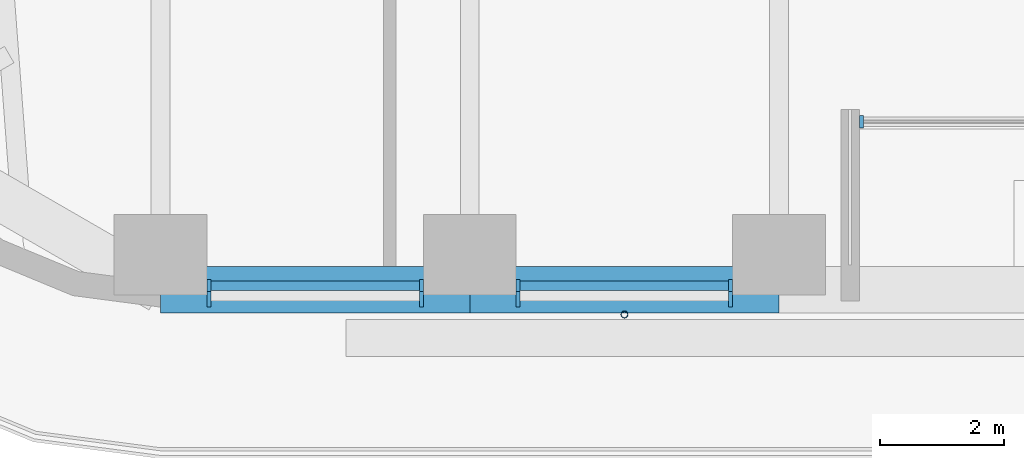
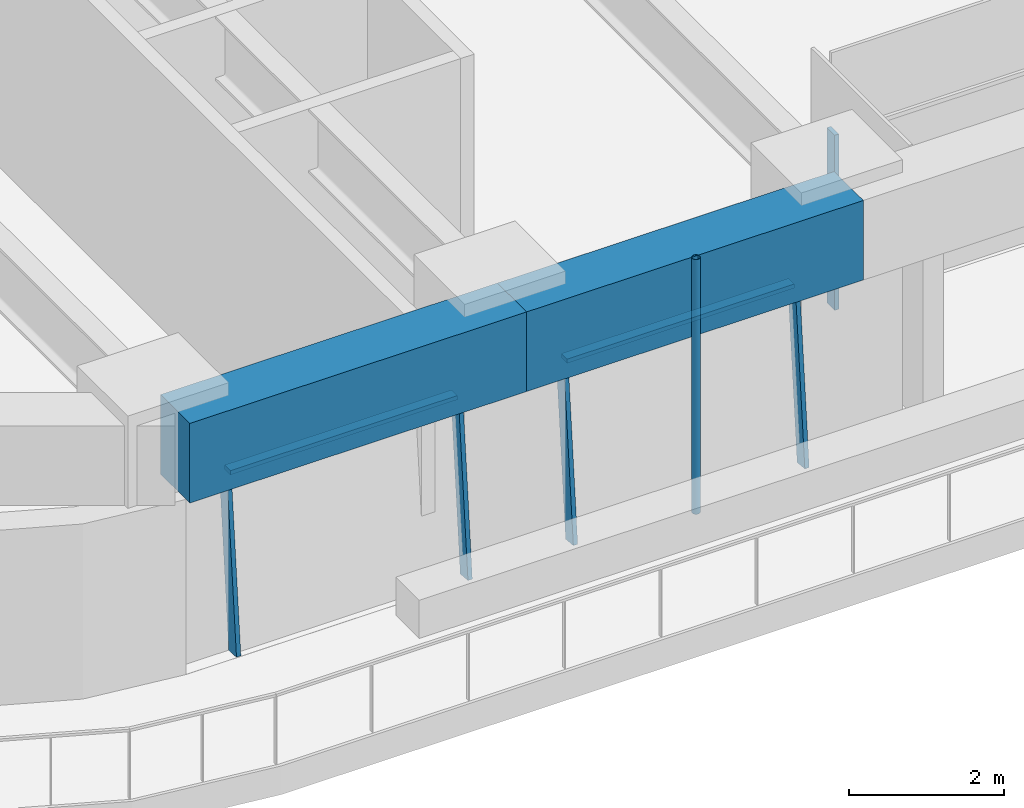
# One storey, part 2 of 24: 8 members, 2 beams, 3 elements without a shape of their own.
"""IFC4 building model written with IfcOpenShell, lengths in metres."""

from ifc_helpers import new_model, si_unit, direction, frame, origin, origin_2d, place, context, subcontext, project, spatial, rectangle, hollow_circle, extrude, material, material_profile, profile_set, type_object, element, aggregate, save


model = new_model("IFC4")

# Units and contexts
model_context = context("Model", 3, precision=1e-05, world=origin(), true_north=direction((0.0, 1.0)))
body_context = subcontext(model_context, "Body", "Model", "MODEL_VIEW")
ifc_project = project(units=[si_unit("LENGTHUNIT", "METRE"), si_unit("AREAUNIT", "SQUARE_METRE"), si_unit("VOLUMEUNIT", "CUBIC_METRE"), si_unit("PLANEANGLEUNIT", "RADIAN"), si_unit("MASSUNIT", "GRAM", prefix="KILO")], contexts=[model_context])

# Site, building, storey
site_placement = place(None, origin())
site = spatial("IfcSite", under=ifc_project, at=site_placement, CompositionType="ELEMENT")
building_placement = place(site_placement, origin())
building = spatial("IfcBuilding", under=site, at=building_placement, Name="Tarfa Lantern Tower", CompositionType="ELEMENT")
storey_placement = place(building_placement, frame((0.0, 0.0, 186.699951171875)))
storey = spatial("IfcBuildingStorey", under=building, at=storey_placement, Name="L42", CompositionType="ELEMENT", Elevation=186.699951171875)

# Curtain wall, members
ifc_material_1 = material(Name="Aluminium framed curtain wall", Category="aluminium")
curtain_wall_type_1 = type_object("IfcCurtainWallType", Name="CW2 CANTED GLAZING MID ZONE 2750", PredefinedType="USERDEFINED", material=ifc_material_1)
curtain_wall_1_placement = place(storey_placement, origin())
curtain_wall_1 = element("IfcCurtainWall", 1, at=curtain_wall_1_placement, inside=storey, type_object=curtain_wall_type_1, Name="CW2 S L42", ObjectType="CURTAIN WALL", PredefinedType="USERDEFINED")
ifc_material_2 = material(Name="Aluminium mullion", Category="aluminium")
ifc_material_profile_1 = material_profile(ifc_material_2, rectangle(XDim=0.06494140625, YDim=0.199951171875, at=origin_2d()), Name="AL MULLION 65x200")
ifc_profile_set_1 = profile_set([ifc_material_profile_1], Name="Aluminium mullion")
member_type_1 = type_object("IfcMemberType", Name="CWM1 MULLION 65x200", PredefinedType="MULLION", material=ifc_profile_set_1)
member_1_placement = place(storey_placement, frame((-14.228515625, -31.39990234375, 0.0), z_axis=(0.0, 0.090535746043, 0.995893206468), x_axis=(-1.0, 0.0, 0.0)))
member_1 = element("IfcMember", 2, at=member_1_placement, type_object=member_type_1, Name="CW2 mullion 1", PredefinedType="MULLION", context=body_context, shape_type="SweptSolid", body=[
    extrude(rectangle(XDim=0.06494140625, YDim=0.199951171875, at=origin_2d()), origin(), (0.0, 0.0, 1.0), 2.76123046875),
])
member_2_placement = place(storey_placement, frame((-10.789794921875, -31.39990234375, 0.0), z_axis=(0.0, 0.090535746043, 0.995893206468), x_axis=(-1.0, 0.0, 0.0)))
member_2 = element("IfcMember", 3, at=member_2_placement, type_object=member_type_1, Name="CW2 mullion 2", PredefinedType="MULLION", context=body_context, shape_type="SweptSolid", body=[
    extrude(rectangle(XDim=0.06494140625, YDim=0.199951171875, at=origin_2d()), origin(), (0.0, 0.0, 1.0), 2.76123046875),
])

curtain_wall_2_placement = place(storey_placement, origin())
curtain_wall_2 = element("IfcCurtainWall", 4, at=curtain_wall_2_placement, inside=storey, type_object=curtain_wall_type_1, Name="CW2 S L42", ObjectType="CURTAIN WALL", PredefinedType="USERDEFINED")
member_3_placement = place(storey_placement, frame((-9.224853515625, -31.39990234375, 0.0), z_axis=(0.0, 0.090535746043, 0.995893206468), x_axis=(-1.0, 0.0, 0.0)))
member_3 = element("IfcMember", 5, at=member_3_placement, type_object=member_type_1, Name="CW2 mullion 1", PredefinedType="MULLION", context=body_context, shape_type="SweptSolid", body=[
    extrude(rectangle(XDim=0.06494140625, YDim=0.199951171875, at=origin_2d()), origin(), (0.0, 0.0, 1.0), 2.76123046875),
])
member_4_placement = place(storey_placement, frame((-5.7861328125, -31.39990234375, 0.0), z_axis=(0.0, 0.090535746043, 0.995893206468), x_axis=(-1.0, 0.0, 0.0)))
member_4 = element("IfcMember", 6, at=member_4_placement, type_object=member_type_1, Name="CW2 mullion 2", PredefinedType="MULLION", context=body_context, shape_type="SweptSolid", body=[
    extrude(rectangle(XDim=0.06494140625, YDim=0.199951171875, at=origin_2d()), origin(), (0.0, 0.0, 1.0), 2.76123046875),
])

# Curtain wall, member
curtain_wall_type_2 = type_object("IfcCurtainWallType", Name="CW10 LOGGIA GLAZING 2750", PredefinedType="USERDEFINED", material=ifc_material_1)
curtain_wall_3_placement = place(storey_placement, origin())
curtain_wall_3 = element("IfcCurtainWall", 7, at=curtain_wall_3_placement, inside=storey, type_object=curtain_wall_type_2, Name="CW10 SL L42", ObjectType="CURTAIN WALL", PredefinedType="USERDEFINED")
member_5_placement = place(storey_placement, frame((-3.671142578125, -28.5, 0.0), z_axis=(0.0, 0.0, 1.0), x_axis=(1.0, 0.0, 0.0)))
member_5 = element("IfcMember", 8, at=member_5_placement, type_object=member_type_1, Name="CW10 mullion 1", PredefinedType="MULLION", context=body_context, shape_type="SweptSolid", body=[
    extrude(rectangle(XDim=0.06494140625, YDim=0.199951171875, at=origin_2d()), origin(), (0.0, 0.0, 1.0), 2.75),
])
aggregate(curtain_wall_3, [member_5])

# Member
ifc_material_3 = material(Name="Aluminium transom", Category="aluminium")
ifc_material_profile_2 = material_profile(ifc_material_3, rectangle(XDim=0.14990234375, YDim=0.06494140625, at=origin_2d()), Name="AL TRANSOM 150x65")
ifc_profile_set_2 = profile_set([ifc_material_profile_2], Name="Aluminium transom")
member_type_2 = type_object("IfcMemberType", Name="CWT1 TRANSOM 150x65", PredefinedType="USERDEFINED", material=ifc_profile_set_2)
member_6_placement = place(storey_placement, frame((-14.196044921875, -31.153076171875, 2.717529296875), z_axis=(1.0, 0.0, 0.0), x_axis=(0.0, 1.0, 0.0)))
member_6 = element("IfcMember", 9, at=member_6_placement, type_object=member_type_2, Name="CW2 transom 1.2", ObjectType="TRANSOM", PredefinedType="USERDEFINED", context=body_context, shape_type="SweptSolid", body=[
    extrude(rectangle(XDim=0.14990234375, YDim=0.06494140625, at=origin_2d()), origin(), (0.0, 0.0, 1.0), 3.37353515625),
])

aggregate(curtain_wall_1, [member_1, member_2, member_6])

member_7_placement = place(storey_placement, frame((-9.1923828125, -31.153076171875, 2.717529296875), z_axis=(1.0, 0.0, 0.0), x_axis=(0.0, 1.0, 0.0)))
member_7 = element("IfcMember", 10, at=member_7_placement, type_object=member_type_2, Name="CW2 transom 1.2", ObjectType="TRANSOM", PredefinedType="USERDEFINED", context=body_context, shape_type="SweptSolid", body=[
    extrude(rectangle(XDim=0.14990234375, YDim=0.06494140625, at=origin_2d()), origin(), (0.0, 0.0, 1.0), 3.373779296875),
])

aggregate(curtain_wall_2, [member_3, member_4, member_7])

# Beams
ifc_material_4 = material(Name="Concrete C80/95", Category="concrete")
ifc_material_profile_3 = material_profile(ifc_material_4, rectangle(XDim=0.75, YDim=1.25, at=origin_2d()), Name="RC 750x1250")
ifc_profile_set_3 = profile_set([ifc_material_profile_3], Name="Concrete C80/95")
beam_type = type_object("IfcBeamType", Name="EB2 RC 750x1250", PredefinedType="SPANDREL", material=ifc_profile_set_3)
for number, where, z_axis, x_axis, name in (
    (11, (-15.010986328125, -31.219970703125, 3.375), (1.0, 0.0, 0.0), (0.0, 1.0, 0.0), "Edge beam S0"),
    (12, (-10.00732421875, -31.219970703125, 3.375), (1.0, 0.0, 0.0), (0.0, 1.0, 0.0), "Edge beam S1"),
):
    element("IfcBeam", number, at=place(storey_placement, frame(where, z_axis=z_axis, x_axis=x_axis)), inside=storey, type_object=beam_type, Name=name, PredefinedType="SPANDREL", context=body_context, shape_type="SweptSolid", body=[
        extrude(rectangle(XDim=0.75, YDim=1.25, at=origin_2d()), origin(), (0.0, 0.0, 1.0), 5.003662109375),
    ])

# Member
ifc_material_5 = material(Name="Steel S355", Category="steel")
ifc_material_profile_4 = material_profile(ifc_material_5, hollow_circle(Radius=0.05712890625, WallThickness=0.00634765625, at=origin_2d()), Name="CHS114.3x6.3")
ifc_profile_set_4 = profile_set([ifc_material_profile_4], Name="Steel S355")
member_type_3 = type_object("IfcMemberType", Name="TR1 GREEN WALL TRELLIS CHS114.3x6.3", PredefinedType="USERDEFINED", material=ifc_profile_set_4)
member_8_placement = place(storey_placement, frame((-7.505615234375, -31.6201171875, 0.0), z_axis=(0.0, 0.0, 1.0), x_axis=(1.0, 0.0, 0.0)))
element("IfcMember", 13, at=member_8_placement, inside=storey, type_object=member_type_3, Name="Trellis post S 1", ObjectType="TRELLIS", PredefinedType="USERDEFINED", context=body_context, shape_type="SweptSolid", body=[
    extrude(hollow_circle(Radius=0.05712890625, WallThickness=0.00634765625, at=origin_2d()), origin(), (0.0, 0.0, 1.0), 4.0),
])

save(model, "model.ifc")
